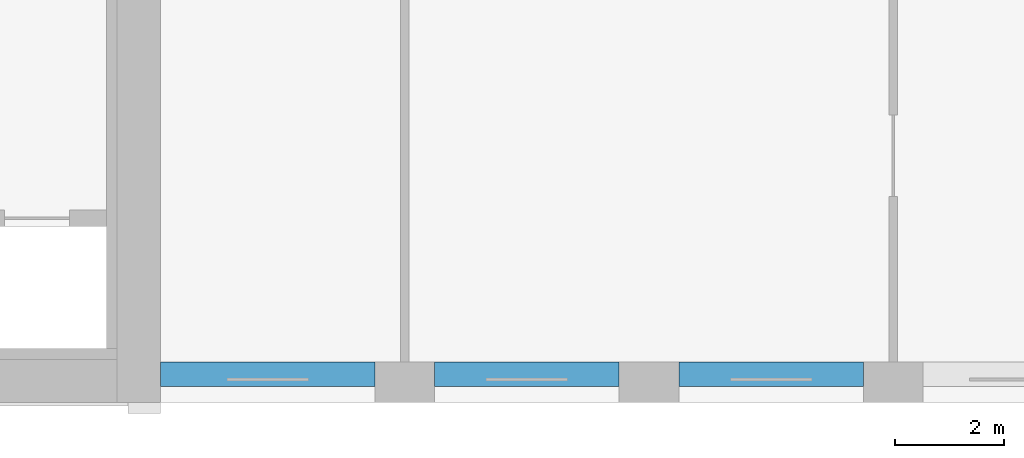
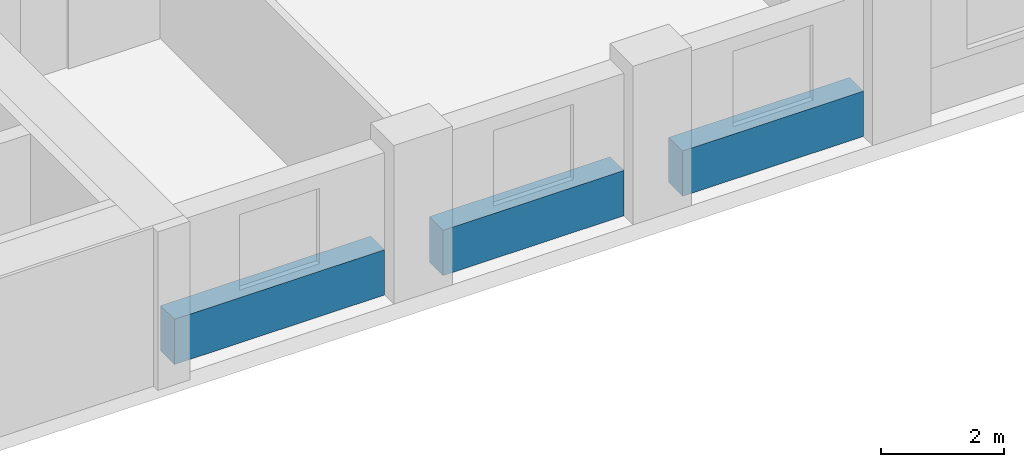
# One storey, part 3 of 16: 3 beams.
"""IFC4 building model written with IfcOpenShell, lengths in metres."""

from ifc_helpers import new_model, si_unit, direction, frame, origin, origin_2d, place, context, subcontext, project, spatial, rectangle, extrude, material, material_profile, profile_set, type_object, element, save


model = new_model("IFC4")

# Units and contexts
model_context = context("Model", 3, precision=1e-05, world=origin(), true_north=direction((0.0, 1.0)))
body_context = subcontext(model_context, "Body", "Model", "MODEL_VIEW")
ifc_project = project(units=[si_unit("LENGTHUNIT", "METRE"), si_unit("AREAUNIT", "SQUARE_METRE"), si_unit("VOLUMEUNIT", "CUBIC_METRE"), si_unit("PLANEANGLEUNIT", "RADIAN"), si_unit("MASSUNIT", "GRAM", prefix="KILO")], contexts=[model_context])

# Site, building, storey
site_placement = place(None, origin())
site = spatial("IfcSite", under=ifc_project, at=site_placement, CompositionType="ELEMENT")
building_placement = place(site_placement, origin())
building = spatial("IfcBuilding", under=site, at=building_placement, Name="Brigalow Station Residences", CompositionType="ELEMENT")
storey_placement = place(building_placement, frame((0.0, 0.0, 121.35009765625)))
storey = spatial("IfcBuildingStorey", under=building, at=storey_placement, Name="L35", CompositionType="ELEMENT", Elevation=121.35009765625)

# Beams
ifc_material = material(Name="Concrete C65", Category="concrete")
ifc_material_profile = material_profile(ifc_material, rectangle(XDim=0.449951171875, YDim=0.89990234375, at=origin_2d()), Name="RC450x900")
ifc_profile_set = profile_set([ifc_material_profile], Name="Concrete C65")
beam_type = type_object("IfcBeamType", Name="SPANDREL BEAM 450x900 C65", PredefinedType="SPANDREL", material=ifc_profile_set)
beam_placement = place(storey_placement, frame((54.0, 0.52490234375, 0.449951171875), z_axis=(1.0, 0.0, 0.0), x_axis=(0.0, 1.0, 0.0)))
element("IfcBeam", 1, at=beam_placement, inside=storey, type_object=beam_type, Name="L35/spandrel/W-L35-4", PredefinedType="SPANDREL", context=body_context, shape_type="SweptSolid", body=[
    extrude(rectangle(XDim=0.449951171875, YDim=0.89990234375, at=origin_2d()), origin(), (0.0, 0.0, 1.0), 3.949951171875),
])
for number, where, z_axis, x_axis, name in (
    (2, (59.050048828125, 0.52490234375, 0.449951171875), (1.0, 0.0, 0.0), (0.0, 1.0, 0.0), "L35/spandrel/W-L35-5"),
    (3, (63.550048828125, 0.52490234375, 0.449951171875), (1.0, 0.0, 0.0), (0.0, 1.0, 0.0), "L35/spandrel/W-L35-6"),
):
    element("IfcBeam", number, at=place(storey_placement, frame(where, z_axis=z_axis, x_axis=x_axis)), inside=storey, type_object=beam_type, Name=name, PredefinedType="SPANDREL", context=body_context, shape_type="SweptSolid", body=[
        extrude(rectangle(XDim=0.449951171875, YDim=0.89990234375, at=origin_2d()), origin(), (0.0, 0.0, 1.0), 3.39990234375),
    ])

save(model, "model.ifc")
